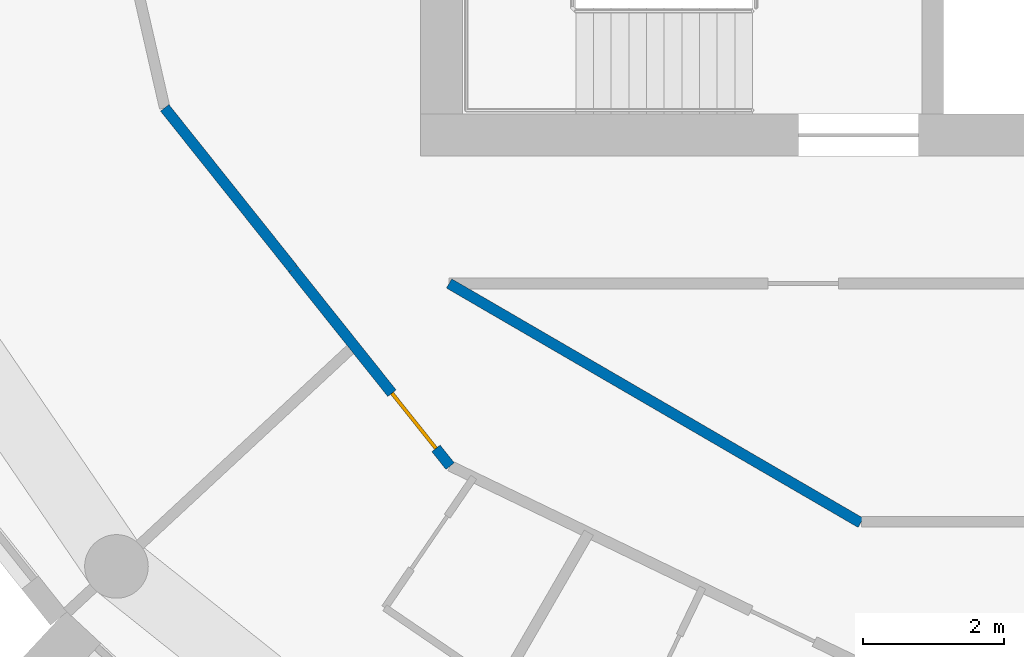
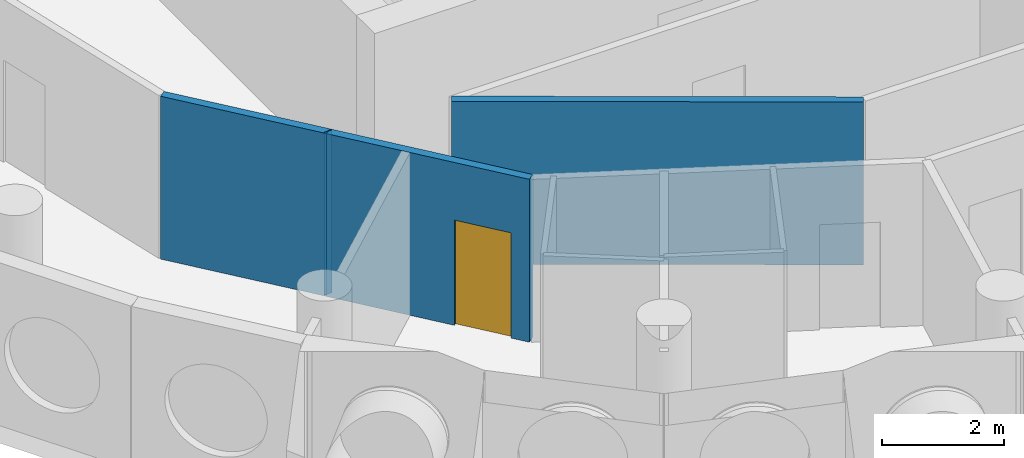
# One storey, part 3 of 13: 4 walls, 1 door, 1 opening.
"""IFC4 building model written with IfcOpenShell, lengths in metres."""

from ifc_helpers import new_model, si_unit, direction, frame, frame_2d, origin, place, context, subcontext, project, spatial, rectangle, extrude, material, layer, layer_set, type_object, element, fill, save


model = new_model("IFC4")

# Units and contexts
model_context = context("Model", 3, precision=1e-05, world=origin(), true_north=direction((0.0, 1.0)))
body_context = subcontext(model_context, "Body", "Model", "MODEL_VIEW")
ifc_project = project(units=[si_unit("LENGTHUNIT", "METRE"), si_unit("AREAUNIT", "SQUARE_METRE"), si_unit("VOLUMEUNIT", "CUBIC_METRE"), si_unit("PLANEANGLEUNIT", "RADIAN"), si_unit("MASSUNIT", "GRAM", prefix="KILO")], contexts=[model_context])

# Site, building, storey
site_placement = place(None, origin())
site = spatial("IfcSite", under=ifc_project, at=site_placement, CompositionType="ELEMENT")
building_placement = place(site_placement, origin())
building = spatial("IfcBuilding", under=site, at=building_placement, Name="Tracery Tower", CompositionType="ELEMENT")
storey_placement = place(building_placement, frame((0.0, 0.0, 298.199951171875)))
storey = spatial("IfcBuildingStorey", under=building, at=storey_placement, Name="L77", CompositionType="ELEMENT", Elevation=298.199951171875)

# Wall
ifc_material_1 = material(Name="Plasterboard on steel studs", Category="steel")
ifc_layer = layer(ifc_material_1, 0.14990234375)
ifc_layer_set = layer_set([ifc_layer], Name="Partition 150 corridor wall")
wall_type = type_object("IfcWallType", Name="Partition 150 corridor wall", PredefinedType="PARTITIONING", material=ifc_layer_set)
wall_1_placement = place(storey_placement, frame((-9.092041015625, -8.800048828125, 0.0), z_axis=(0.0, 0.0, 1.0), x_axis=(0.864470922103, -0.502682827277, 0.0)))
element("IfcWall", 1, at=wall_1_placement, inside=storey, type_object=wall_type, Name="Corridor wall RC7-011", PredefinedType="PARTITIONING", context=body_context, shape_type="SweptSolid", body=[
    extrude(rectangle(XDim=6.7353515625, YDim=0.14990234375, at=frame_2d((3.36767578125, 0.0))), origin(), (0.0, 0.0, 1.0), 3.25),
])

# Wall, opening, door
wall_2_placement = place(storey_placement, frame((-11.300048828125, -8.59619140625, 0.0), z_axis=(0.0, 0.0, 1.0), x_axis=(0.623390921228, -0.781910326911, 0.0)))
wall_2 = element("IfcWall", 2, at=wall_2_placement, inside=storey, type_object=wall_type, Name="Corridor wall RC7-014", PredefinedType="PARTITIONING", context=body_context, shape_type="SweptSolid", body=[
    extrude(rectangle(XDim=3.56396484375, YDim=0.14990234375, at=frame_2d((1.781982421875, 0.0))), origin(), (0.0, 0.0, 1.0), 3.25),
])
opening_placement = place(wall_2_placement, frame((2.243896484375, 0.0, 0.0)))
opening = element("IfcOpeningElement", 3, at=opening_placement, cuts=wall_2, Name="Opening RC7-16", PredefinedType="OPENING", context=body_context, shape_type="SweptSolid", body=[
    extrude(rectangle(XDim=1.0, YDim=2.10009765625, at=frame_2d((0.5, 1.050048828125))), frame((0.0, 0.074951171875, 0.0), z_axis=(0.0, -1.0, 0.0), x_axis=(1.0, 0.0, 0.0)), (0.0, 0.0, 1.0), 0.14990234375),
])
ifc_material_2 = material(Name="Timber door leaf", Category="wood")
door_type = type_object("IfcDoorType", Name="Door unit entrance 1000", OperationType="NOTDEFINED", PredefinedType="DOOR", material=ifc_material_2)
door_placement = place(opening_placement, origin())
door = element("IfcDoor", 4, at=door_placement, inside=storey, type_object=door_type, Name="Unit entrance door RC7-16", OperationType="SINGLE_SWING_LEFT", OverallHeight=2.10009765625, OverallWidth=1.0, PredefinedType="DOOR", context=body_context, shape_type="SweptSolid", body=[
    extrude(rectangle(XDim=1.0, YDim=2.10009765625, at=frame_2d((0.5, 1.050048828125))), frame((0.0, 0.02490234375, 0.0), z_axis=(0.0, -1.0, 0.0), x_axis=(1.0, 0.0, 0.0)), (0.0, 0.0, 1.0), 0.050048828125),
])
fill(opening, door)

# Walls
wall_3_placement = place(storey_placement, frame((-11.300048828125, -8.59619140625, 0.0), z_axis=(0.0, 0.0, 1.0), x_axis=(0.0, 1.0, 0.0)))
element("IfcWall", 5, at=wall_3_placement, inside=storey, type_object=wall_type, Name="Corridor wall RC7-016", PredefinedType="PARTITIONING", context=body_context, shape_type="SweptSolid", body=[
    extrude(rectangle(XDim=0.01025390625, YDim=0.14990234375, at=frame_2d((0.005126953125, 0.0))), origin(), (0.0, 0.0, 1.0), 3.25),
])
wall_4_placement = place(storey_placement, frame((-13.114990234375, -6.31591796875, 0.0), z_axis=(0.0, 0.0, 1.0), x_axis=(0.623446514299, -0.781866001185, 0.0)))
element("IfcWall", 6, at=wall_4_placement, inside=storey, type_object=wall_type, Name="Corridor wall RC7-032", PredefinedType="PARTITIONING", context=body_context, shape_type="SweptSolid", body=[
    extrude(rectangle(XDim=2.9111328125, YDim=0.14990234375, at=frame_2d((1.45556640625, 0.0))), origin(), (0.0, 0.0, 1.0), 3.25),
])

save(model, "model.ifc")
